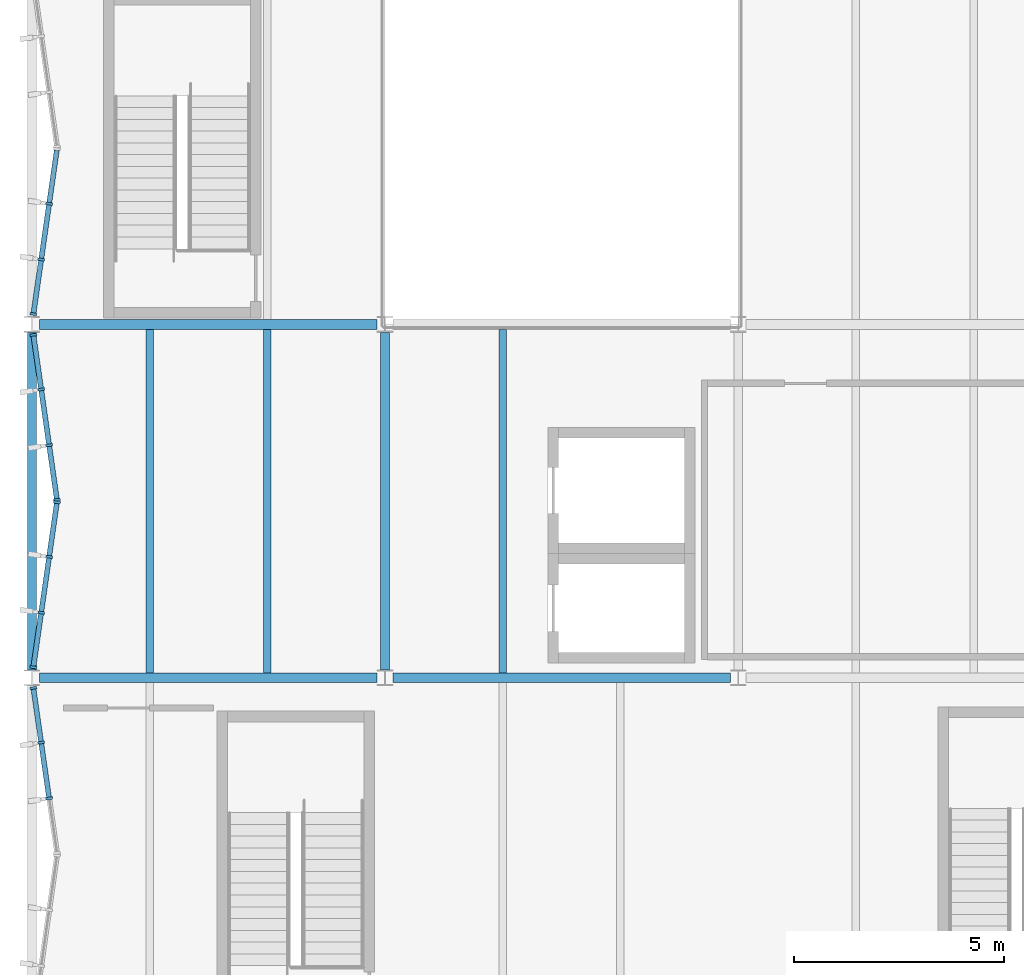
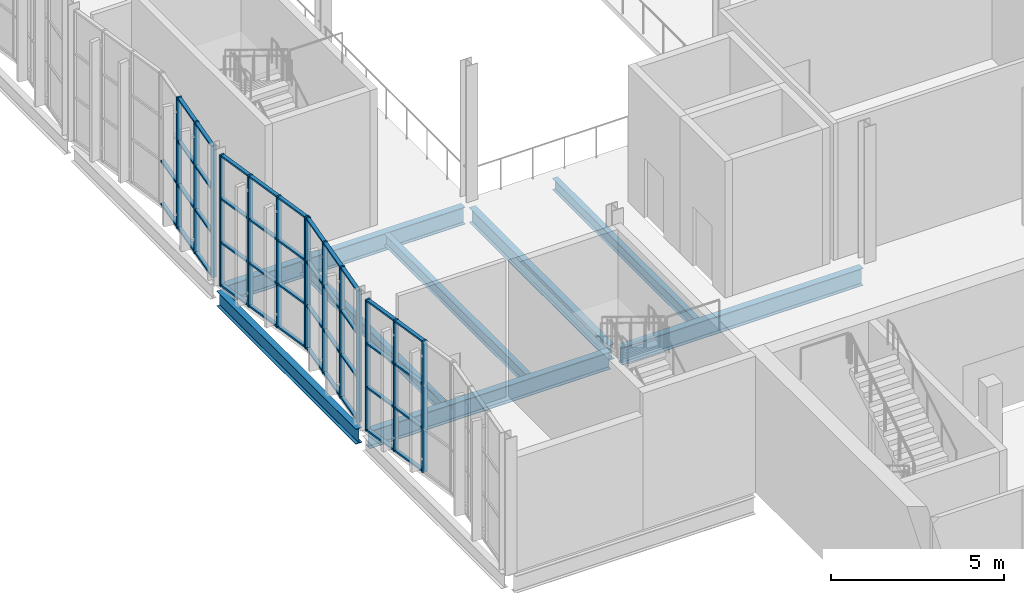
# One storey, part 19 of 127: 56 members, 8 beams, 4 elements without a shape of their own.
"""IFC4 building model written with IfcOpenShell, lengths in metres."""

from ifc_helpers import new_model, si_unit, direction, frame, origin, origin_2d, place, context, subcontext, project, spatial, rectangle, i_section, extrude, material, material_profile, profile_set, type_object, element, aggregate, save


model = new_model("IFC4")

# Units and contexts
model_context = context("Model", 3, precision=1e-05, world=origin(), true_north=direction((0.0, 1.0)))
body_context = subcontext(model_context, "Body", "Model", "MODEL_VIEW")
ifc_project = project(units=[si_unit("LENGTHUNIT", "METRE"), si_unit("AREAUNIT", "SQUARE_METRE"), si_unit("VOLUMEUNIT", "CUBIC_METRE"), si_unit("PLANEANGLEUNIT", "RADIAN"), si_unit("MASSUNIT", "GRAM", prefix="KILO")], contexts=[model_context])

# Site, building, storey
site_placement = place(None, origin())
site = spatial("IfcSite", under=ifc_project, at=site_placement, CompositionType="ELEMENT")
building_placement = place(site_placement, origin())
building = spatial("IfcBuilding", under=site, at=building_placement, Name="Ljudholm Concert House", CompositionType="ELEMENT")
storey_placement = place(building_placement, frame((0.0, 0.0, 5.39990234375)))
storey = spatial("IfcBuildingStorey", under=building, at=storey_placement, Name="L01", CompositionType="ELEMENT", Elevation=5.39990234375)

# Curtain wall, members
ifc_material_1 = material(Name="Aluminium curtain wall with impact-rated laminated glass", Category="aluminium")
curtain_wall_type = type_object("IfcCurtainWallType", Name="CURTAIN WALL 1400", PredefinedType="NOTDEFINED", material=ifc_material_1)
curtain_wall_1_placement = place(storey_placement, origin())
curtain_wall_1 = element("IfcCurtainWall", 1, at=curtain_wall_1_placement, inside=storey, type_object=curtain_wall_type, Name="Facade curtain wall", PredefinedType="NOTDEFINED")
ifc_material_2 = material(Name="Aluminium extrusion", Category="aluminium")
ifc_material_profile_1 = material_profile(ifc_material_2, rectangle(XDim=0.159912109375, YDim=0.06005859375, at=origin_2d()), Name="MULLION 60x160")
ifc_profile_set_1 = profile_set([ifc_material_profile_1], Name="Aluminium extrusion")
member_type_1 = type_object("IfcMemberType", Name="MULLION 60x160", PredefinedType="MULLION", material=ifc_profile_set_1)
member_1_placement = place(storey_placement, frame((4.410400390625, 51.52734375, 0.0), z_axis=(0.0, 0.0, 1.0), x_axis=(-0.989949493647, -0.141421356338, 0.0)))
member_1 = element("IfcMember", 2, at=member_1_placement, type_object=member_type_1, Name="Mullion", PredefinedType="MULLION", context=body_context, shape_type="SweptSolid", body=[
    extrude(rectangle(XDim=0.159912109375, YDim=0.06005859375, at=origin_2d()), origin(), (0.0, 0.0, 1.0), 4.6201171875),
])
member_2_placement = place(storey_placement, frame((4.220703125, 52.854736328125, 0.0), z_axis=(0.0, 0.0, 1.0), x_axis=(-0.989949493647, -0.141421356338, 0.0)))
member_2 = element("IfcMember", 3, at=member_2_placement, type_object=member_type_1, Name="Mullion", PredefinedType="MULLION", context=body_context, shape_type="SweptSolid", body=[
    extrude(rectangle(XDim=0.159912109375, YDim=0.06005859375, at=origin_2d()), origin(), (0.0, 0.0, 1.0), 4.6201171875),
])
member_3_placement = place(storey_placement, frame((4.035400390625, 54.152587890625, 0.0), z_axis=(0.0, 0.0, 1.0), x_axis=(-0.989949493647, -0.141421356338, 0.0)))
member_3 = element("IfcMember", 4, at=member_3_placement, type_object=member_type_1, Name="Mullion", PredefinedType="MULLION", context=body_context, shape_type="SweptSolid", body=[
    extrude(rectangle(XDim=0.159912109375, YDim=0.06005859375, at=origin_2d()), origin(), (0.0, 0.0, 1.0), 4.6201171875),
])

curtain_wall_2_placement = place(storey_placement, origin())
curtain_wall_2 = element("IfcCurtainWall", 5, at=curtain_wall_2_placement, inside=storey, type_object=curtain_wall_type, Name="Facade curtain wall", PredefinedType="NOTDEFINED")
member_4_placement = place(storey_placement, frame((4.035400390625, 54.6474609375, 0.0), z_axis=(0.0, 0.0, 1.0), x_axis=(-0.989949493647, 0.141421356338, 0.0)))
member_4 = element("IfcMember", 6, at=member_4_placement, type_object=member_type_1, Name="Mullion", PredefinedType="MULLION", context=body_context, shape_type="SweptSolid", body=[
    extrude(rectangle(XDim=0.159912109375, YDim=0.06005859375, at=origin_2d()), origin(), (0.0, 0.0, 1.0), 4.6201171875),
])
member_5_placement = place(storey_placement, frame((4.220703125, 55.9453125, 0.0), z_axis=(0.0, 0.0, 1.0), x_axis=(-0.989949493647, 0.141421356338, 0.0)))
member_5 = element("IfcMember", 7, at=member_5_placement, type_object=member_type_1, Name="Mullion", PredefinedType="MULLION", context=body_context, shape_type="SweptSolid", body=[
    extrude(rectangle(XDim=0.159912109375, YDim=0.06005859375, at=origin_2d()), origin(), (0.0, 0.0, 1.0), 4.6201171875),
])
member_6_placement = place(storey_placement, frame((4.410400390625, 57.272705078125, 0.0), z_axis=(0.0, 0.0, 1.0), x_axis=(-0.989949493647, 0.141421356338, 0.0)))
member_6 = element("IfcMember", 8, at=member_6_placement, type_object=member_type_1, Name="Mullion", PredefinedType="MULLION", context=body_context, shape_type="SweptSolid", body=[
    extrude(rectangle(XDim=0.159912109375, YDim=0.06005859375, at=origin_2d()), origin(), (0.0, 0.0, 1.0), 4.6201171875),
])
member_7_placement = place(storey_placement, frame((4.595703125, 58.5703125, 0.0), z_axis=(0.0, 0.0, 1.0), x_axis=(-0.989949493647, 0.141421356338, 0.0)))
member_7 = element("IfcMember", 9, at=member_7_placement, type_object=member_type_1, Name="Mullion", PredefinedType="MULLION", context=body_context, shape_type="SweptSolid", body=[
    extrude(rectangle(XDim=0.159912109375, YDim=0.06005859375, at=origin_2d()), origin(), (0.0, 0.0, 1.0), 4.6201171875),
])

curtain_wall_3_placement = place(storey_placement, origin())
curtain_wall_3 = element("IfcCurtainWall", 10, at=curtain_wall_3_placement, inside=storey, type_object=curtain_wall_type, Name="Facade curtain wall", PredefinedType="NOTDEFINED")
member_8_placement = place(storey_placement, frame((4.595703125, 58.629638671875, 0.0), z_axis=(0.0, 0.0, 1.0), x_axis=(-0.989949493647, -0.141421356338, 0.0)))
member_8 = element("IfcMember", 11, at=member_8_placement, type_object=member_type_1, Name="Mullion", PredefinedType="MULLION", context=body_context, shape_type="SweptSolid", body=[
    extrude(rectangle(XDim=0.159912109375, YDim=0.06005859375, at=origin_2d()), origin(), (0.0, 0.0, 1.0), 4.6201171875),
])
member_9_placement = place(storey_placement, frame((4.410400390625, 59.927490234375, 0.0), z_axis=(0.0, 0.0, 1.0), x_axis=(-0.989949493647, -0.141421356338, 0.0)))
member_9 = element("IfcMember", 12, at=member_9_placement, type_object=member_type_1, Name="Mullion", PredefinedType="MULLION", context=body_context, shape_type="SweptSolid", body=[
    extrude(rectangle(XDim=0.159912109375, YDim=0.06005859375, at=origin_2d()), origin(), (0.0, 0.0, 1.0), 4.6201171875),
])
member_10_placement = place(storey_placement, frame((4.220703125, 61.2548828125, 0.0), z_axis=(0.0, 0.0, 1.0), x_axis=(-0.989949493647, -0.141421356338, 0.0)))
member_10 = element("IfcMember", 13, at=member_10_placement, type_object=member_type_1, Name="Mullion", PredefinedType="MULLION", context=body_context, shape_type="SweptSolid", body=[
    extrude(rectangle(XDim=0.159912109375, YDim=0.06005859375, at=origin_2d()), origin(), (0.0, 0.0, 1.0), 4.6201171875),
])
member_11_placement = place(storey_placement, frame((4.035400390625, 62.552490234375, 0.0), z_axis=(0.0, 0.0, 1.0), x_axis=(-0.989949493647, -0.141421356338, 0.0)))
member_11 = element("IfcMember", 14, at=member_11_placement, type_object=member_type_1, Name="Mullion", PredefinedType="MULLION", context=body_context, shape_type="SweptSolid", body=[
    extrude(rectangle(XDim=0.159912109375, YDim=0.06005859375, at=origin_2d()), origin(), (0.0, 0.0, 1.0), 4.6201171875),
])

curtain_wall_4_placement = place(storey_placement, origin())
curtain_wall_4 = element("IfcCurtainWall", 15, at=curtain_wall_4_placement, inside=storey, type_object=curtain_wall_type, Name="Facade curtain wall", PredefinedType="NOTDEFINED")
member_12_placement = place(storey_placement, frame((4.035400390625, 63.047607421875, 0.0), z_axis=(0.0, 0.0, 1.0), x_axis=(-0.989949493647, 0.141421356338, 0.0)))
member_12 = element("IfcMember", 16, at=member_12_placement, type_object=member_type_1, Name="Mullion", PredefinedType="MULLION", context=body_context, shape_type="SweptSolid", body=[
    extrude(rectangle(XDim=0.159912109375, YDim=0.06005859375, at=origin_2d()), origin(), (0.0, 0.0, 1.0), 4.6201171875),
])
member_13_placement = place(storey_placement, frame((4.220703125, 64.34521484375, 0.0), z_axis=(0.0, 0.0, 1.0), x_axis=(-0.989949493647, 0.141421356338, 0.0)))
member_13 = element("IfcMember", 17, at=member_13_placement, type_object=member_type_1, Name="Mullion", PredefinedType="MULLION", context=body_context, shape_type="SweptSolid", body=[
    extrude(rectangle(XDim=0.159912109375, YDim=0.06005859375, at=origin_2d()), origin(), (0.0, 0.0, 1.0), 4.6201171875),
])
member_14_placement = place(storey_placement, frame((4.410400390625, 65.672607421875, 0.0), z_axis=(0.0, 0.0, 1.0), x_axis=(-0.989949493647, 0.141421356338, 0.0)))
member_14 = element("IfcMember", 18, at=member_14_placement, type_object=member_type_1, Name="Mullion", PredefinedType="MULLION", context=body_context, shape_type="SweptSolid", body=[
    extrude(rectangle(XDim=0.159912109375, YDim=0.06005859375, at=origin_2d()), origin(), (0.0, 0.0, 1.0), 4.6201171875),
])

# Beams
ifc_material_3 = material(Name="Steel ASTM A992", Category="steel")
ifc_material_profile_2 = material_profile(ifc_material_3, i_section(OverallWidth=0.177734375, OverallDepth=0.406494140625, WebThickness=0.0078125, FlangeThickness=0.012939453125, FilletRadius=0.01025390625, at=origin_2d()), Name="W16X40")
ifc_profile_set_2 = profile_set([ifc_material_profile_2], Name="Steel ASTM A992")
beam_type_1 = type_object("IfcBeamType", Name="STEEL BEAM W16X40", PredefinedType="BEAM", material=ifc_profile_set_2)
for number, where, z_axis, x_axis, name in (
    (19, (6.800048828125, 54.5146484375, -0.383056640625), (0.0, 1.0, 0.0), (-1.0, 0.0, 0.0), "Secondary beam"),
    (20, (9.60009765625, 54.5146484375, -0.383056640625), (0.0, 1.0, 0.0), (-1.0, 0.0, 0.0), "Secondary beam"),
    (21, (15.199951171875, 54.5146484375, -0.383056640625), (0.0, 1.0, 0.0), (-1.0, 0.0, 0.0), "Secondary beam"),
):
    element("IfcBeam", number, at=place(storey_placement, frame(where, z_axis=z_axis, x_axis=x_axis)), inside=storey, type_object=beam_type_1, Name=name, PredefinedType="BEAM", context=body_context, shape_type="SweptSolid", body=[
        extrude(i_section(OverallWidth=0.177734375, OverallDepth=0.406494140625, WebThickness=0.0078125, FlangeThickness=0.012939453125, FilletRadius=0.01025390625, at=origin_2d()), origin(), (0.0, 0.0, 1.0), 8.1708984375),
    ])
ifc_material_4 = material(Name="Steel ASTM A992", Category="steel")
ifc_material_profile_3 = material_profile(ifc_material_4, i_section(OverallWidth=0.209228515625, OverallDepth=0.533447265625, WebThickness=0.01025390625, FlangeThickness=0.015625, FilletRadius=0.012939453125, at=origin_2d()), Name="W21X62")
ifc_profile_set_3 = profile_set([ifc_material_profile_3], Name="Steel ASTM A992")
beam_type_2 = type_object("IfcBeamType", Name="STEEL BEAM W21X62", PredefinedType="BEAM", material=ifc_profile_set_3)
for number, where, z_axis, x_axis, name in (
    (22, (4.0, 54.586669921875, -0.446533203125), (0.0, 1.0, 0.0), (-1.0, 0.0, 0.0), "Floor edge beam"),
    (23, (12.39990234375, 54.586669921875, -0.446533203125), (0.0, 1.0, 0.0), (-1.0, 0.0, 0.0), "Floor edge beam"),
):
    element("IfcBeam", number, at=place(storey_placement, frame(where, z_axis=z_axis, x_axis=x_axis)), inside=storey, type_object=beam_type_2, Name=name, PredefinedType="BEAM", context=body_context, shape_type="SweptSolid", body=[
        extrude(i_section(OverallWidth=0.209228515625, OverallDepth=0.533447265625, WebThickness=0.01025390625, FlangeThickness=0.015625, FilletRadius=0.012939453125, at=origin_2d()), origin(), (0.0, 0.0, 1.0), 8.026611328125),
    ])
ifc_material_5 = material(Name="Steel ASTM A992", Category="steel")
ifc_material_profile_4 = material_profile(ifc_material_5, i_section(OverallWidth=0.22900390625, OverallDepth=0.612060546875, WebThickness=0.011962890625, FlangeThickness=0.01953125, FilletRadius=0.0126953125, at=origin_2d()), Name="W24X84")
ifc_profile_set_4 = profile_set([ifc_material_profile_4], Name="Steel ASTM A992")
beam_type_3 = type_object("IfcBeamType", Name="STEEL BEAM W24X84", PredefinedType="BEAM", material=ifc_profile_set_4)
for number, where, z_axis, x_axis, name in (
    (24, (4.186767578125, 54.39990234375, -0.486083984375), (1.0, 0.0, 0.0), (0.0, 1.0, 0.0), "Floor girder"),
    (25, (12.586669921875, 54.39990234375, -0.486083984375), (1.0, 0.0, 0.0), (0.0, 1.0, 0.0), "Floor girder"),
    (26, (4.186767578125, 62.800048828125, -0.486083984375), (1.0, 0.0, 0.0), (0.0, 1.0, 0.0), "Floor girder"),
):
    element("IfcBeam", number, at=place(storey_placement, frame(where, z_axis=z_axis, x_axis=x_axis)), inside=storey, type_object=beam_type_3, Name=name, PredefinedType="BEAM", context=body_context, shape_type="SweptSolid", body=[
        extrude(i_section(OverallWidth=0.22900390625, OverallDepth=0.612060546875, WebThickness=0.011962890625, FlangeThickness=0.01953125, FilletRadius=0.0126953125, at=origin_2d()), origin(), (0.0, 0.0, 1.0), 8.026611328125),
    ])

# Member
ifc_material_6 = material(Name="Aluminium extrusion", Category="aluminium")
ifc_material_profile_5 = material_profile(ifc_material_6, rectangle(XDim=0.1201171875, YDim=0.06005859375, at=origin_2d()), Name="TRANSOM 60x120")
ifc_profile_set_5 = profile_set([ifc_material_profile_5], Name="Aluminium extrusion")
member_type_2 = type_object("IfcMemberType", Name="TRANSOM 60x120", PredefinedType="USERDEFINED", material=ifc_profile_set_5)
member_15_placement = place(storey_placement, frame((4.40625, 51.55712890625, 0.030029296875), z_axis=(-0.141421356237, 0.989949493661, 0.0), x_axis=(-0.989949493661, -0.141421356237, 0.0)))
member_15 = element("IfcMember", 27, at=member_15_placement, type_object=member_type_2, Name="Transom", ObjectType="TRANSOM", PredefinedType="USERDEFINED", context=body_context, shape_type="SweptSolid", body=[
    extrude(rectangle(XDim=0.1201171875, YDim=0.06005859375, at=origin_2d()), origin(), (0.0, 0.0, 1.0), 1.281005859375),
])

member_16_placement = place(storey_placement, frame((4.40625, 51.55712890625, 1.5400390625), z_axis=(-0.141421356237, 0.989949493661, 0.0), x_axis=(-0.989949493661, -0.141421356237, 0.0)))
member_16 = element("IfcMember", 28, at=member_16_placement, type_object=member_type_2, Name="Transom", ObjectType="TRANSOM", PredefinedType="USERDEFINED", context=body_context, shape_type="SweptSolid", body=[
    extrude(rectangle(XDim=0.1201171875, YDim=0.06005859375, at=origin_2d()), origin(), (0.0, 0.0, 1.0), 1.281005859375),
])

member_17_placement = place(storey_placement, frame((4.40625, 51.55712890625, 3.080078125), z_axis=(-0.141421356237, 0.989949493661, 0.0), x_axis=(-0.989949493661, -0.141421356237, 0.0)))
member_17 = element("IfcMember", 29, at=member_17_placement, type_object=member_type_2, Name="Transom", ObjectType="TRANSOM", PredefinedType="USERDEFINED", context=body_context, shape_type="SweptSolid", body=[
    extrude(rectangle(XDim=0.1201171875, YDim=0.06005859375, at=origin_2d()), origin(), (0.0, 0.0, 1.0), 1.281005859375),
])

member_18_placement = place(storey_placement, frame((4.40625, 51.55712890625, 4.590087890625), z_axis=(-0.141421356237, 0.989949493661, 0.0), x_axis=(-0.989949493661, -0.141421356237, 0.0)))
member_18 = element("IfcMember", 30, at=member_18_placement, type_object=member_type_2, Name="Transom", ObjectType="TRANSOM", PredefinedType="USERDEFINED", context=body_context, shape_type="SweptSolid", body=[
    extrude(rectangle(XDim=0.1201171875, YDim=0.06005859375, at=origin_2d()), origin(), (0.0, 0.0, 1.0), 1.281005859375),
])

member_19_placement = place(storey_placement, frame((4.216552734375, 52.884521484375, 0.030029296875), z_axis=(-0.141503330095, 0.989937779647, 0.0), x_axis=(-0.989937779647, -0.141503330095, 0.0)))
member_19 = element("IfcMember", 31, at=member_19_placement, type_object=member_type_2, Name="Transom", ObjectType="TRANSOM", PredefinedType="USERDEFINED", context=body_context, shape_type="SweptSolid", body=[
    extrude(rectangle(XDim=0.1201171875, YDim=0.06005859375, at=origin_2d()), origin(), (0.0, 0.0, 1.0), 1.2509765625),
])

member_20_placement = place(storey_placement, frame((4.216552734375, 52.884521484375, 1.5400390625), z_axis=(-0.141503330095, 0.989937779647, 0.0), x_axis=(-0.989937779647, -0.141503330095, 0.0)))
member_20 = element("IfcMember", 32, at=member_20_placement, type_object=member_type_2, Name="Transom", ObjectType="TRANSOM", PredefinedType="USERDEFINED", context=body_context, shape_type="SweptSolid", body=[
    extrude(rectangle(XDim=0.1201171875, YDim=0.06005859375, at=origin_2d()), origin(), (0.0, 0.0, 1.0), 1.2509765625),
])

member_21_placement = place(storey_placement, frame((4.216552734375, 52.884521484375, 3.080078125), z_axis=(-0.141503330095, 0.989937779647, 0.0), x_axis=(-0.989937779647, -0.141503330095, 0.0)))
member_21 = element("IfcMember", 33, at=member_21_placement, type_object=member_type_2, Name="Transom", ObjectType="TRANSOM", PredefinedType="USERDEFINED", context=body_context, shape_type="SweptSolid", body=[
    extrude(rectangle(XDim=0.1201171875, YDim=0.06005859375, at=origin_2d()), origin(), (0.0, 0.0, 1.0), 1.2509765625),
])

member_22_placement = place(storey_placement, frame((4.216552734375, 52.884521484375, 4.590087890625), z_axis=(-0.141503330095, 0.989937779647, 0.0), x_axis=(-0.989937779647, -0.141503330095, 0.0)))
member_22 = element("IfcMember", 34, at=member_22_placement, type_object=member_type_2, Name="Transom", ObjectType="TRANSOM", PredefinedType="USERDEFINED", context=body_context, shape_type="SweptSolid", body=[
    extrude(rectangle(XDim=0.1201171875, YDim=0.06005859375, at=origin_2d()), origin(), (0.0, 0.0, 1.0), 1.2509765625),
])

aggregate(curtain_wall_1, [member_1, member_2, member_3, member_15, member_16, member_17, member_18, member_19, member_20, member_21, member_22])

member_23_placement = place(storey_placement, frame((4.03955078125, 54.67724609375, 0.030029296875), z_axis=(0.141503330095, 0.989937779647, 0.0), x_axis=(-0.989937779647, 0.141503330095, 0.0)))
member_23 = element("IfcMember", 35, at=member_23_placement, type_object=member_type_2, Name="Transom", ObjectType="TRANSOM", PredefinedType="USERDEFINED", context=body_context, shape_type="SweptSolid", body=[
    extrude(rectangle(XDim=0.1201171875, YDim=0.06005859375, at=origin_2d()), origin(), (0.0, 0.0, 1.0), 1.2509765625),
])

member_24_placement = place(storey_placement, frame((4.03955078125, 54.67724609375, 1.5400390625), z_axis=(0.141503330095, 0.989937779647, 0.0), x_axis=(-0.989937779647, 0.141503330095, 0.0)))
member_24 = element("IfcMember", 36, at=member_24_placement, type_object=member_type_2, Name="Transom", ObjectType="TRANSOM", PredefinedType="USERDEFINED", context=body_context, shape_type="SweptSolid", body=[
    extrude(rectangle(XDim=0.1201171875, YDim=0.06005859375, at=origin_2d()), origin(), (0.0, 0.0, 1.0), 1.2509765625),
])

member_25_placement = place(storey_placement, frame((4.03955078125, 54.67724609375, 3.080078125), z_axis=(0.141503330095, 0.989937779647, 0.0), x_axis=(-0.989937779647, 0.141503330095, 0.0)))
member_25 = element("IfcMember", 37, at=member_25_placement, type_object=member_type_2, Name="Transom", ObjectType="TRANSOM", PredefinedType="USERDEFINED", context=body_context, shape_type="SweptSolid", body=[
    extrude(rectangle(XDim=0.1201171875, YDim=0.06005859375, at=origin_2d()), origin(), (0.0, 0.0, 1.0), 1.2509765625),
])

member_26_placement = place(storey_placement, frame((4.03955078125, 54.67724609375, 4.590087890625), z_axis=(0.141503330095, 0.989937779647, 0.0), x_axis=(-0.989937779647, 0.141503330095, 0.0)))
member_26 = element("IfcMember", 38, at=member_26_placement, type_object=member_type_2, Name="Transom", ObjectType="TRANSOM", PredefinedType="USERDEFINED", context=body_context, shape_type="SweptSolid", body=[
    extrude(rectangle(XDim=0.1201171875, YDim=0.06005859375, at=origin_2d()), origin(), (0.0, 0.0, 1.0), 1.2509765625),
])

member_27_placement = place(storey_placement, frame((4.22509765625, 55.974853515625, 0.030029296875), z_axis=(0.141421356237, 0.989949493661, 0.0), x_axis=(-0.989949493661, 0.141421356237, 0.0)))
member_27 = element("IfcMember", 39, at=member_27_placement, type_object=member_type_2, Name="Transom", ObjectType="TRANSOM", PredefinedType="USERDEFINED", context=body_context, shape_type="SweptSolid", body=[
    extrude(rectangle(XDim=0.1201171875, YDim=0.06005859375, at=origin_2d()), origin(), (0.0, 0.0, 1.0), 1.281005859375),
])

member_28_placement = place(storey_placement, frame((4.22509765625, 55.974853515625, 1.5400390625), z_axis=(0.141421356237, 0.989949493661, 0.0), x_axis=(-0.989949493661, 0.141421356237, 0.0)))
member_28 = element("IfcMember", 40, at=member_28_placement, type_object=member_type_2, Name="Transom", ObjectType="TRANSOM", PredefinedType="USERDEFINED", context=body_context, shape_type="SweptSolid", body=[
    extrude(rectangle(XDim=0.1201171875, YDim=0.06005859375, at=origin_2d()), origin(), (0.0, 0.0, 1.0), 1.281005859375),
])

member_29_placement = place(storey_placement, frame((4.22509765625, 55.974853515625, 3.080078125), z_axis=(0.141421356237, 0.989949493661, 0.0), x_axis=(-0.989949493661, 0.141421356237, 0.0)))
member_29 = element("IfcMember", 41, at=member_29_placement, type_object=member_type_2, Name="Transom", ObjectType="TRANSOM", PredefinedType="USERDEFINED", context=body_context, shape_type="SweptSolid", body=[
    extrude(rectangle(XDim=0.1201171875, YDim=0.06005859375, at=origin_2d()), origin(), (0.0, 0.0, 1.0), 1.281005859375),
])

member_30_placement = place(storey_placement, frame((4.22509765625, 55.974853515625, 4.590087890625), z_axis=(0.141421356237, 0.989949493661, 0.0), x_axis=(-0.989949493661, 0.141421356237, 0.0)))
member_30 = element("IfcMember", 42, at=member_30_placement, type_object=member_type_2, Name="Transom", ObjectType="TRANSOM", PredefinedType="USERDEFINED", context=body_context, shape_type="SweptSolid", body=[
    extrude(rectangle(XDim=0.1201171875, YDim=0.06005859375, at=origin_2d()), origin(), (0.0, 0.0, 1.0), 1.281005859375),
])

member_31_placement = place(storey_placement, frame((4.41455078125, 57.30224609375, 0.030029296875), z_axis=(0.141503330095, 0.989937779647, 0.0), x_axis=(-0.989937779647, 0.141503330095, 0.0)))
member_31 = element("IfcMember", 43, at=member_31_placement, type_object=member_type_2, Name="Transom", ObjectType="TRANSOM", PredefinedType="USERDEFINED", context=body_context, shape_type="SweptSolid", body=[
    extrude(rectangle(XDim=0.1201171875, YDim=0.06005859375, at=origin_2d()), origin(), (0.0, 0.0, 1.0), 1.2509765625),
])

member_32_placement = place(storey_placement, frame((4.41455078125, 57.30224609375, 1.5400390625), z_axis=(0.141503330095, 0.989937779647, 0.0), x_axis=(-0.989937779647, 0.141503330095, 0.0)))
member_32 = element("IfcMember", 44, at=member_32_placement, type_object=member_type_2, Name="Transom", ObjectType="TRANSOM", PredefinedType="USERDEFINED", context=body_context, shape_type="SweptSolid", body=[
    extrude(rectangle(XDim=0.1201171875, YDim=0.06005859375, at=origin_2d()), origin(), (0.0, 0.0, 1.0), 1.2509765625),
])

member_33_placement = place(storey_placement, frame((4.41455078125, 57.30224609375, 3.080078125), z_axis=(0.141503330095, 0.989937779647, 0.0), x_axis=(-0.989937779647, 0.141503330095, 0.0)))
member_33 = element("IfcMember", 45, at=member_33_placement, type_object=member_type_2, Name="Transom", ObjectType="TRANSOM", PredefinedType="USERDEFINED", context=body_context, shape_type="SweptSolid", body=[
    extrude(rectangle(XDim=0.1201171875, YDim=0.06005859375, at=origin_2d()), origin(), (0.0, 0.0, 1.0), 1.2509765625),
])

member_34_placement = place(storey_placement, frame((4.41455078125, 57.30224609375, 4.590087890625), z_axis=(0.141503330095, 0.989937779647, 0.0), x_axis=(-0.989937779647, 0.141503330095, 0.0)))
member_34 = element("IfcMember", 46, at=member_34_placement, type_object=member_type_2, Name="Transom", ObjectType="TRANSOM", PredefinedType="USERDEFINED", context=body_context, shape_type="SweptSolid", body=[
    extrude(rectangle(XDim=0.1201171875, YDim=0.06005859375, at=origin_2d()), origin(), (0.0, 0.0, 1.0), 1.2509765625),
])

aggregate(curtain_wall_2, [member_4, member_5, member_6, member_7, member_23, member_24, member_25, member_26, member_27, member_28, member_29, member_30, member_31, member_32, member_33, member_34])

member_35_placement = place(storey_placement, frame((4.591552734375, 58.659423828125, 0.030029296875), z_axis=(-0.141503330095, 0.989937779647, 0.0), x_axis=(-0.989937779647, -0.141503330095, 0.0)))
member_35 = element("IfcMember", 47, at=member_35_placement, type_object=member_type_2, Name="Transom", ObjectType="TRANSOM", PredefinedType="USERDEFINED", context=body_context, shape_type="SweptSolid", body=[
    extrude(rectangle(XDim=0.1201171875, YDim=0.06005859375, at=origin_2d()), origin(), (0.0, 0.0, 1.0), 1.2509765625),
])

member_36_placement = place(storey_placement, frame((4.591552734375, 58.659423828125, 1.5400390625), z_axis=(-0.141503330095, 0.989937779647, 0.0), x_axis=(-0.989937779647, -0.141503330095, 0.0)))
member_36 = element("IfcMember", 48, at=member_36_placement, type_object=member_type_2, Name="Transom", ObjectType="TRANSOM", PredefinedType="USERDEFINED", context=body_context, shape_type="SweptSolid", body=[
    extrude(rectangle(XDim=0.1201171875, YDim=0.06005859375, at=origin_2d()), origin(), (0.0, 0.0, 1.0), 1.2509765625),
])

member_37_placement = place(storey_placement, frame((4.591552734375, 58.659423828125, 3.080078125), z_axis=(-0.141503330095, 0.989937779647, 0.0), x_axis=(-0.989937779647, -0.141503330095, 0.0)))
member_37 = element("IfcMember", 49, at=member_37_placement, type_object=member_type_2, Name="Transom", ObjectType="TRANSOM", PredefinedType="USERDEFINED", context=body_context, shape_type="SweptSolid", body=[
    extrude(rectangle(XDim=0.1201171875, YDim=0.06005859375, at=origin_2d()), origin(), (0.0, 0.0, 1.0), 1.2509765625),
])

member_38_placement = place(storey_placement, frame((4.591552734375, 58.659423828125, 4.590087890625), z_axis=(-0.141503330095, 0.989937779647, 0.0), x_axis=(-0.989937779647, -0.141503330095, 0.0)))
member_38 = element("IfcMember", 50, at=member_38_placement, type_object=member_type_2, Name="Transom", ObjectType="TRANSOM", PredefinedType="USERDEFINED", context=body_context, shape_type="SweptSolid", body=[
    extrude(rectangle(XDim=0.1201171875, YDim=0.06005859375, at=origin_2d()), origin(), (0.0, 0.0, 1.0), 1.2509765625),
])

member_39_placement = place(storey_placement, frame((4.40625, 59.95703125, 0.030029296875), z_axis=(-0.141421356237, 0.989949493661, 0.0), x_axis=(-0.989949493661, -0.141421356237, 0.0)))
member_39 = element("IfcMember", 51, at=member_39_placement, type_object=member_type_2, Name="Transom", ObjectType="TRANSOM", PredefinedType="USERDEFINED", context=body_context, shape_type="SweptSolid", body=[
    extrude(rectangle(XDim=0.1201171875, YDim=0.06005859375, at=origin_2d()), origin(), (0.0, 0.0, 1.0), 1.281005859375),
])

member_40_placement = place(storey_placement, frame((4.40625, 59.95703125, 1.5400390625), z_axis=(-0.141421356237, 0.989949493661, 0.0), x_axis=(-0.989949493661, -0.141421356237, 0.0)))
member_40 = element("IfcMember", 52, at=member_40_placement, type_object=member_type_2, Name="Transom", ObjectType="TRANSOM", PredefinedType="USERDEFINED", context=body_context, shape_type="SweptSolid", body=[
    extrude(rectangle(XDim=0.1201171875, YDim=0.06005859375, at=origin_2d()), origin(), (0.0, 0.0, 1.0), 1.281005859375),
])

member_41_placement = place(storey_placement, frame((4.40625, 59.95703125, 3.080078125), z_axis=(-0.141421356237, 0.989949493661, 0.0), x_axis=(-0.989949493661, -0.141421356237, 0.0)))
member_41 = element("IfcMember", 53, at=member_41_placement, type_object=member_type_2, Name="Transom", ObjectType="TRANSOM", PredefinedType="USERDEFINED", context=body_context, shape_type="SweptSolid", body=[
    extrude(rectangle(XDim=0.1201171875, YDim=0.06005859375, at=origin_2d()), origin(), (0.0, 0.0, 1.0), 1.281005859375),
])

member_42_placement = place(storey_placement, frame((4.40625, 59.95703125, 4.590087890625), z_axis=(-0.141421356237, 0.989949493661, 0.0), x_axis=(-0.989949493661, -0.141421356237, 0.0)))
member_42 = element("IfcMember", 54, at=member_42_placement, type_object=member_type_2, Name="Transom", ObjectType="TRANSOM", PredefinedType="USERDEFINED", context=body_context, shape_type="SweptSolid", body=[
    extrude(rectangle(XDim=0.1201171875, YDim=0.06005859375, at=origin_2d()), origin(), (0.0, 0.0, 1.0), 1.281005859375),
])

member_43_placement = place(storey_placement, frame((4.216552734375, 61.284423828125, 0.030029296875), z_axis=(-0.141503330095, 0.989937779647, 0.0), x_axis=(-0.989937779647, -0.141503330095, 0.0)))
member_43 = element("IfcMember", 55, at=member_43_placement, type_object=member_type_2, Name="Transom", ObjectType="TRANSOM", PredefinedType="USERDEFINED", context=body_context, shape_type="SweptSolid", body=[
    extrude(rectangle(XDim=0.1201171875, YDim=0.06005859375, at=origin_2d()), origin(), (0.0, 0.0, 1.0), 1.2509765625),
])

member_44_placement = place(storey_placement, frame((4.216552734375, 61.284423828125, 1.5400390625), z_axis=(-0.141503330095, 0.989937779647, 0.0), x_axis=(-0.989937779647, -0.141503330095, 0.0)))
member_44 = element("IfcMember", 56, at=member_44_placement, type_object=member_type_2, Name="Transom", ObjectType="TRANSOM", PredefinedType="USERDEFINED", context=body_context, shape_type="SweptSolid", body=[
    extrude(rectangle(XDim=0.1201171875, YDim=0.06005859375, at=origin_2d()), origin(), (0.0, 0.0, 1.0), 1.2509765625),
])

member_45_placement = place(storey_placement, frame((4.216552734375, 61.284423828125, 3.080078125), z_axis=(-0.141503330095, 0.989937779647, 0.0), x_axis=(-0.989937779647, -0.141503330095, 0.0)))
member_45 = element("IfcMember", 57, at=member_45_placement, type_object=member_type_2, Name="Transom", ObjectType="TRANSOM", PredefinedType="USERDEFINED", context=body_context, shape_type="SweptSolid", body=[
    extrude(rectangle(XDim=0.1201171875, YDim=0.06005859375, at=origin_2d()), origin(), (0.0, 0.0, 1.0), 1.2509765625),
])

member_46_placement = place(storey_placement, frame((4.216552734375, 61.284423828125, 4.590087890625), z_axis=(-0.141503330095, 0.989937779647, 0.0), x_axis=(-0.989937779647, -0.141503330095, 0.0)))
member_46 = element("IfcMember", 58, at=member_46_placement, type_object=member_type_2, Name="Transom", ObjectType="TRANSOM", PredefinedType="USERDEFINED", context=body_context, shape_type="SweptSolid", body=[
    extrude(rectangle(XDim=0.1201171875, YDim=0.06005859375, at=origin_2d()), origin(), (0.0, 0.0, 1.0), 1.2509765625),
])

aggregate(curtain_wall_3, [member_8, member_9, member_10, member_11, member_35, member_36, member_37, member_38, member_39, member_40, member_41, member_42, member_43, member_44, member_45, member_46])

member_47_placement = place(storey_placement, frame((4.03955078125, 63.0771484375, 0.030029296875), z_axis=(0.141503330095, 0.989937779647, 0.0), x_axis=(-0.989937779647, 0.141503330095, 0.0)))
member_47 = element("IfcMember", 59, at=member_47_placement, type_object=member_type_2, Name="Transom", ObjectType="TRANSOM", PredefinedType="USERDEFINED", context=body_context, shape_type="SweptSolid", body=[
    extrude(rectangle(XDim=0.1201171875, YDim=0.06005859375, at=origin_2d()), origin(), (0.0, 0.0, 1.0), 1.2509765625),
])

member_48_placement = place(storey_placement, frame((4.03955078125, 63.0771484375, 1.5400390625), z_axis=(0.141503330095, 0.989937779647, 0.0), x_axis=(-0.989937779647, 0.141503330095, 0.0)))
member_48 = element("IfcMember", 60, at=member_48_placement, type_object=member_type_2, Name="Transom", ObjectType="TRANSOM", PredefinedType="USERDEFINED", context=body_context, shape_type="SweptSolid", body=[
    extrude(rectangle(XDim=0.1201171875, YDim=0.06005859375, at=origin_2d()), origin(), (0.0, 0.0, 1.0), 1.2509765625),
])

member_49_placement = place(storey_placement, frame((4.03955078125, 63.0771484375, 3.080078125), z_axis=(0.141503330095, 0.989937779647, 0.0), x_axis=(-0.989937779647, 0.141503330095, 0.0)))
member_49 = element("IfcMember", 61, at=member_49_placement, type_object=member_type_2, Name="Transom", ObjectType="TRANSOM", PredefinedType="USERDEFINED", context=body_context, shape_type="SweptSolid", body=[
    extrude(rectangle(XDim=0.1201171875, YDim=0.06005859375, at=origin_2d()), origin(), (0.0, 0.0, 1.0), 1.2509765625),
])

member_50_placement = place(storey_placement, frame((4.03955078125, 63.0771484375, 4.590087890625), z_axis=(0.141503330095, 0.989937779647, 0.0), x_axis=(-0.989937779647, 0.141503330095, 0.0)))
member_50 = element("IfcMember", 62, at=member_50_placement, type_object=member_type_2, Name="Transom", ObjectType="TRANSOM", PredefinedType="USERDEFINED", context=body_context, shape_type="SweptSolid", body=[
    extrude(rectangle(XDim=0.1201171875, YDim=0.06005859375, at=origin_2d()), origin(), (0.0, 0.0, 1.0), 1.2509765625),
])

member_51_placement = place(storey_placement, frame((4.22509765625, 64.375, 0.030029296875), z_axis=(0.141448044496, 0.989945680686, 0.0), x_axis=(-0.989945680686, 0.141448044496, 0.0)))
member_51 = element("IfcMember", 63, at=member_51_placement, type_object=member_type_2, Name="Transom", ObjectType="TRANSOM", PredefinedType="USERDEFINED", context=body_context, shape_type="SweptSolid", body=[
    extrude(rectangle(XDim=0.1201171875, YDim=0.06005859375, at=origin_2d()), origin(), (0.0, 0.0, 1.0), 1.28076171875),
])

member_52_placement = place(storey_placement, frame((4.22509765625, 64.375, 1.5400390625), z_axis=(0.141448044496, 0.989945680686, 0.0), x_axis=(-0.989945680686, 0.141448044496, 0.0)))
member_52 = element("IfcMember", 64, at=member_52_placement, type_object=member_type_2, Name="Transom", ObjectType="TRANSOM", PredefinedType="USERDEFINED", context=body_context, shape_type="SweptSolid", body=[
    extrude(rectangle(XDim=0.1201171875, YDim=0.06005859375, at=origin_2d()), origin(), (0.0, 0.0, 1.0), 1.28076171875),
])

member_53_placement = place(storey_placement, frame((4.22509765625, 64.375, 3.080078125), z_axis=(0.141448044496, 0.989945680686, 0.0), x_axis=(-0.989945680686, 0.141448044496, 0.0)))
member_53 = element("IfcMember", 65, at=member_53_placement, type_object=member_type_2, Name="Transom", ObjectType="TRANSOM", PredefinedType="USERDEFINED", context=body_context, shape_type="SweptSolid", body=[
    extrude(rectangle(XDim=0.1201171875, YDim=0.06005859375, at=origin_2d()), origin(), (0.0, 0.0, 1.0), 1.28076171875),
])

member_54_placement = place(storey_placement, frame((4.22509765625, 64.375, 4.590087890625), z_axis=(0.141448044496, 0.989945680686, 0.0), x_axis=(-0.989945680686, 0.141448044496, 0.0)))
member_54 = element("IfcMember", 66, at=member_54_placement, type_object=member_type_2, Name="Transom", ObjectType="TRANSOM", PredefinedType="USERDEFINED", context=body_context, shape_type="SweptSolid", body=[
    extrude(rectangle(XDim=0.1201171875, YDim=0.06005859375, at=origin_2d()), origin(), (0.0, 0.0, 1.0), 1.28076171875),
])

member_55_placement = place(storey_placement, frame((4.41455078125, 65.702392578125, 0.030029296875), z_axis=(0.141503330095, 0.989937779647, 0.0), x_axis=(-0.989937779647, 0.141503330095, 0.0)))
member_55 = element("IfcMember", 67, at=member_55_placement, type_object=member_type_2, Name="Transom", ObjectType="TRANSOM", PredefinedType="USERDEFINED", context=body_context, shape_type="SweptSolid", body=[
    extrude(rectangle(XDim=0.1201171875, YDim=0.06005859375, at=origin_2d()), origin(), (0.0, 0.0, 1.0), 1.2509765625),
])

member_56_placement = place(storey_placement, frame((4.41455078125, 65.702392578125, 1.5400390625), z_axis=(0.141503330095, 0.989937779647, 0.0), x_axis=(-0.989937779647, 0.141503330095, 0.0)))
member_56 = element("IfcMember", 68, at=member_56_placement, type_object=member_type_2, Name="Transom", ObjectType="TRANSOM", PredefinedType="USERDEFINED", context=body_context, shape_type="SweptSolid", body=[
    extrude(rectangle(XDim=0.1201171875, YDim=0.06005859375, at=origin_2d()), origin(), (0.0, 0.0, 1.0), 1.2509765625),
])

aggregate(curtain_wall_4, [member_12, member_13, member_14, member_47, member_48, member_49, member_50, member_51, member_52, member_53, member_54, member_55, member_56])

save(model, "model.ifc")
